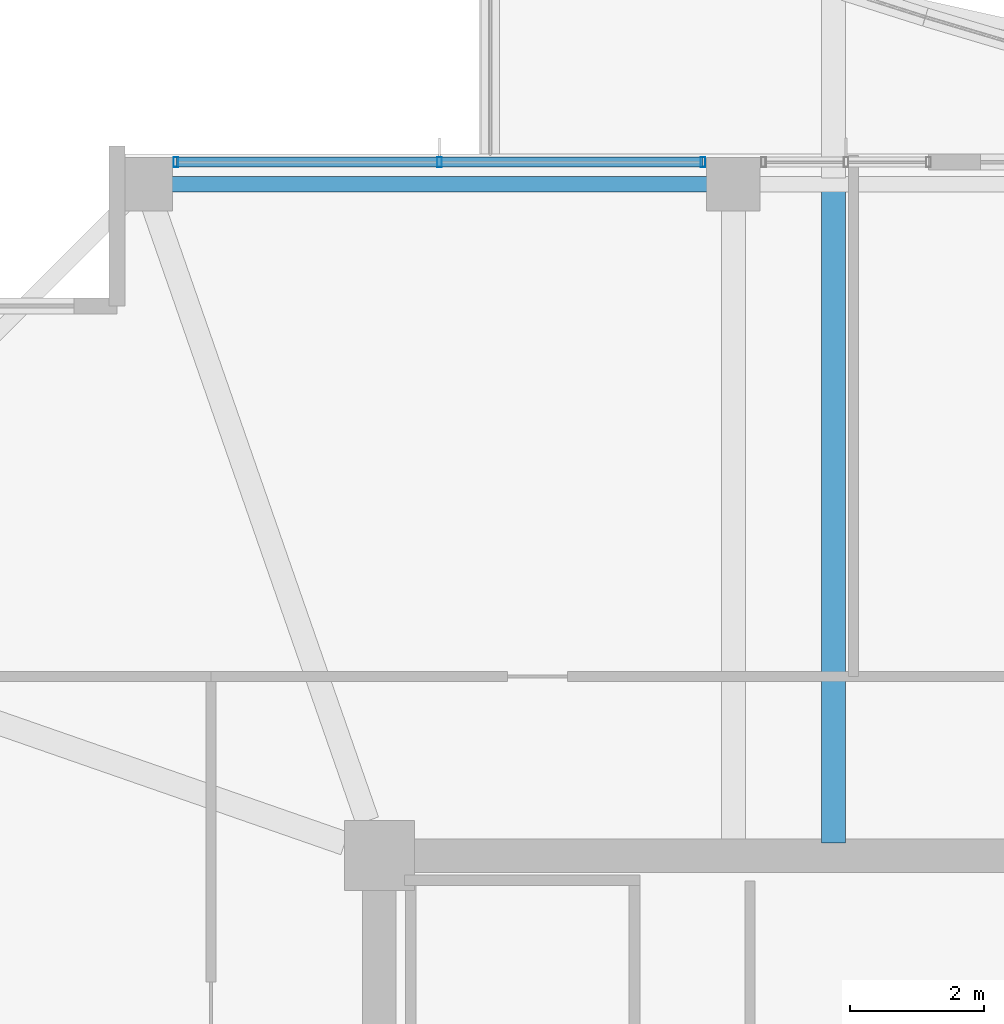
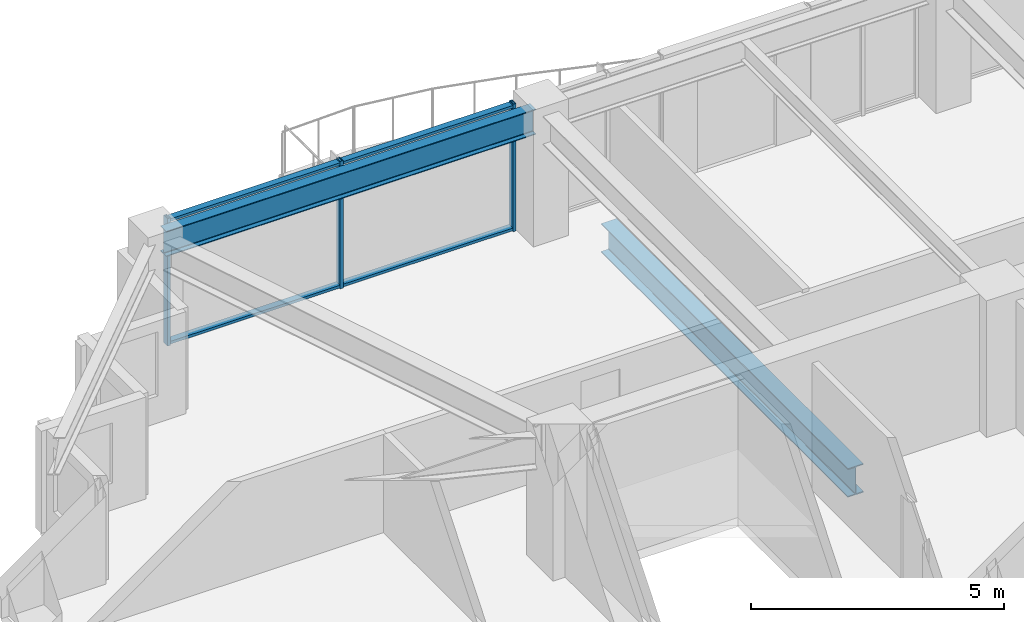
# One storey, part 16 of 36: 5 members, 2 beams, 1 element without a shape of its own.
"""IFC4 building model written with IfcOpenShell, lengths in metres."""

from ifc_helpers import new_model, si_unit, direction, frame, origin, origin_2d, place, context, subcontext, project, spatial, hollow_rectangle, i_section, extrude, material, material_profile, profile_set, type_object, element, aggregate, save


model = new_model("IFC4")

# Units and contexts
model_context = context("Model", 3, precision=1e-05, world=origin(), true_north=direction((0.0, 1.0)))
body_context = subcontext(model_context, "Body", "Model", "MODEL_VIEW")
ifc_project = project(units=[si_unit("LENGTHUNIT", "METRE"), si_unit("AREAUNIT", "SQUARE_METRE"), si_unit("VOLUMEUNIT", "CUBIC_METRE"), si_unit("PLANEANGLEUNIT", "RADIAN"), si_unit("MASSUNIT", "GRAM", prefix="KILO")], contexts=[model_context])

# Site, building, storey
site_placement = place(None, origin())
site = spatial("IfcSite", under=ifc_project, at=site_placement, CompositionType="ELEMENT")
building_placement = place(site_placement, origin())
building = spatial("IfcBuilding", under=site, at=building_placement, Name="Kolvaren Belvedere", CompositionType="ELEMENT")
storey_placement = place(building_placement, frame((0.0, 0.0, 199.800048828125)))
storey = spatial("IfcBuildingStorey", under=building, at=storey_placement, Name="L58", CompositionType="ELEMENT", Elevation=199.800048828125)

# Beams
ifc_material_1 = material(Name="Structural steel ASTM A992 Grade 50", Category="steel")
ifc_material_profile_1 = material_profile(ifc_material_1, i_section(OverallWidth=0.35498046875, OverallDepth=0.696044921875, WebThickness=0.015380859375, FlangeThickness=0.02490234375, FilletRadius=0.02197265625, at=origin_2d()), Name="W27X146")
ifc_profile_set_1 = profile_set([ifc_material_profile_1], Name="Structural steel ASTM A992 Grade 50")
beam_type_1 = type_object("IfcBeamType", Name="BM-GIRD-W27X146", PredefinedType="BEAM", material=ifc_profile_set_1)
beam_1_placement = place(storey_placement, frame((-3.10009765625, 10.090087890625, -0.568115234375), z_axis=(0.0, 1.0, 0.0), x_axis=(-1.0, 0.0, 0.0)))
element("IfcBeam", 1, at=beam_1_placement, inside=storey, type_object=beam_type_1, Name="L58 Balcony Interior Back-Span Girder BAL-N-1", PredefinedType="BEAM", context=body_context, shape_type="SweptSolid", body=[
    extrude(i_section(OverallWidth=0.35498046875, OverallDepth=0.696044921875, WebThickness=0.015380859375, FlangeThickness=0.02490234375, FilletRadius=0.02197265625, at=origin_2d()), origin(), (0.0, 0.0, 1.0), 9.764892578125),
])
ifc_material_2 = material(Name="Structural steel ASTM A992 Grade 50", Category="steel")
ifc_material_profile_2 = material_profile(ifc_material_2, i_section(OverallWidth=0.22900390625, OverallDepth=0.612060546875, WebThickness=0.011962890625, FlangeThickness=0.01953125, FilletRadius=0.01806640625, at=origin_2d()), Name="W24X84")
ifc_profile_set_2 = profile_set([ifc_material_profile_2], Name="Structural steel ASTM A992 Grade 50")
beam_type_2 = type_object("IfcBeamType", Name="BM-SPAN-W24X84", PredefinedType="SPANDREL", material=ifc_profile_set_2)
beam_2_placement = place(storey_placement, frame((-4.780029296875, 19.949951171875, 2.77392578125), z_axis=(-1.0, 0.0, 0.0), x_axis=(0.0, -1.0, 0.0)))
element("IfcBeam", 2, at=beam_2_placement, inside=storey, type_object=beam_type_2, Name="L58 Perimeter Spandrel N2-N1", PredefinedType="SPANDREL", context=body_context, shape_type="SweptSolid", body=[
    extrude(i_section(OverallWidth=0.22900390625, OverallDepth=0.612060546875, WebThickness=0.011962890625, FlangeThickness=0.01953125, FilletRadius=0.01806640625, at=origin_2d()), origin(), (0.0, 0.0, 1.0), 8.43994140625),
])

# Curtain wall, members
ifc_material_3 = material(Name="Anodised pale-metal aluminium AA 6063-T6", Category="aluminium")
curtain_wall_type = type_object("IfcCurtainWallType", Name="CW-Z5-HIGH", PredefinedType="NOTDEFINED", material=ifc_material_3)
curtain_wall_placement = place(storey_placement, origin())
curtain_wall = element("IfcCurtainWall", 3, at=curtain_wall_placement, inside=storey, type_object=curtain_wall_type, Name="L58 Unitised Curtain Wall FCW-L58-N1-B1", PredefinedType="NOTDEFINED")
ifc_material_4 = material(Name="Anodised pale-metal aluminium AA 6063-T6", Category="aluminium")
ifc_material_profile_3 = material_profile(ifc_material_4, hollow_rectangle(XDim=0.070068359375, YDim=0.14990234375, WallThickness=0.004150390625, at=origin_2d()), Name="ALU-MUL-150X70")
ifc_profile_set_3 = profile_set([ifc_material_profile_3], Name="Anodised pale-metal aluminium AA 6063-T6")
member_type_1 = type_object("IfcMemberType", Name="CW-MUL-150", PredefinedType="MULLION", material=ifc_profile_set_3)
member_1_placement = place(storey_placement, frame((-12.945068359375, 20.280029296875, 0.0), z_axis=(0.0, 0.0, 1.0), x_axis=(1.0, 0.0, 0.0)))
member_1 = element("IfcMember", 4, at=member_1_placement, type_object=member_type_1, Name="FCW-L58-N1-B1 Unitised Mullion 1", PredefinedType="MULLION", context=body_context, shape_type="SweptSolid", body=[
    extrude(hollow_rectangle(XDim=0.070068359375, YDim=0.14990234375, WallThickness=0.004150390625, at=origin_2d()), origin(), (0.0, 0.0, 1.0), 3.079833984375),
])
member_2_placement = place(storey_placement, frame((-9.0, 20.280029296875, 0.0), z_axis=(0.0, 0.0, 1.0), x_axis=(1.0, 0.0, 0.0)))
member_2 = element("IfcMember", 5, at=member_2_placement, type_object=member_type_1, Name="FCW-L58-N1-B1 Unitised Mullion 2", PredefinedType="MULLION", context=body_context, shape_type="SweptSolid", body=[
    extrude(hollow_rectangle(XDim=0.070068359375, YDim=0.14990234375, WallThickness=0.004150390625, at=origin_2d()), origin(), (0.0, 0.0, 1.0), 3.079833984375),
])
member_3_placement = place(storey_placement, frame((-5.054931640625, 20.280029296875, 0.0), z_axis=(0.0, 0.0, 1.0), x_axis=(1.0, 0.0, 0.0)))
member_3 = element("IfcMember", 6, at=member_3_placement, type_object=member_type_1, Name="FCW-L58-N1-B1 Unitised Mullion 3", PredefinedType="MULLION", context=body_context, shape_type="SweptSolid", body=[
    extrude(hollow_rectangle(XDim=0.070068359375, YDim=0.14990234375, WallThickness=0.004150390625, at=origin_2d()), origin(), (0.0, 0.0, 1.0), 3.079833984375),
])
ifc_material_5 = material(Name="Anodised pale-metal aluminium AA 6063-T6", Category="aluminium")
ifc_material_profile_4 = material_profile(ifc_material_5, hollow_rectangle(XDim=0.06494140625, YDim=0.14990234375, WallThickness=0.00390625, at=origin_2d()), Name="ALU-TRN-150X65")
ifc_profile_set_4 = profile_set([ifc_material_profile_4], Name="Anodised pale-metal aluminium AA 6063-T6")
member_type_2 = type_object("IfcMemberType", Name="CW-TRN-150", PredefinedType="USERDEFINED", material=ifc_profile_set_4)
member_4_placement = place(storey_placement, frame((-12.945068359375, 20.280029296875, 0.06005859375), z_axis=(1.0, 0.0, 0.0), x_axis=(0.0, 0.0, 1.0)))
member_4 = element("IfcMember", 7, at=member_4_placement, type_object=member_type_2, Name="FCW-L58-N1-B1 Sill Transom", ObjectType="TRANSOM", PredefinedType="USERDEFINED", context=body_context, shape_type="SweptSolid", body=[
    extrude(hollow_rectangle(XDim=0.06494140625, YDim=0.14990234375, WallThickness=0.00390625, at=origin_2d()), origin(), (0.0, 0.0, 1.0), 7.89013671875),
])
member_5_placement = place(storey_placement, frame((-12.945068359375, 20.280029296875, 3.02001953125), z_axis=(1.0, 0.0, 0.0), x_axis=(0.0, 0.0, 1.0)))
member_5 = element("IfcMember", 8, at=member_5_placement, type_object=member_type_2, Name="FCW-L58-N1-B1 Head Transom", ObjectType="TRANSOM", PredefinedType="USERDEFINED", context=body_context, shape_type="SweptSolid", body=[
    extrude(hollow_rectangle(XDim=0.06494140625, YDim=0.14990234375, WallThickness=0.00390625, at=origin_2d()), origin(), (0.0, 0.0, 1.0), 7.89013671875),
])
aggregate(curtain_wall, [member_1, member_2, member_3, member_4, member_5])

save(model, "model.ifc")
